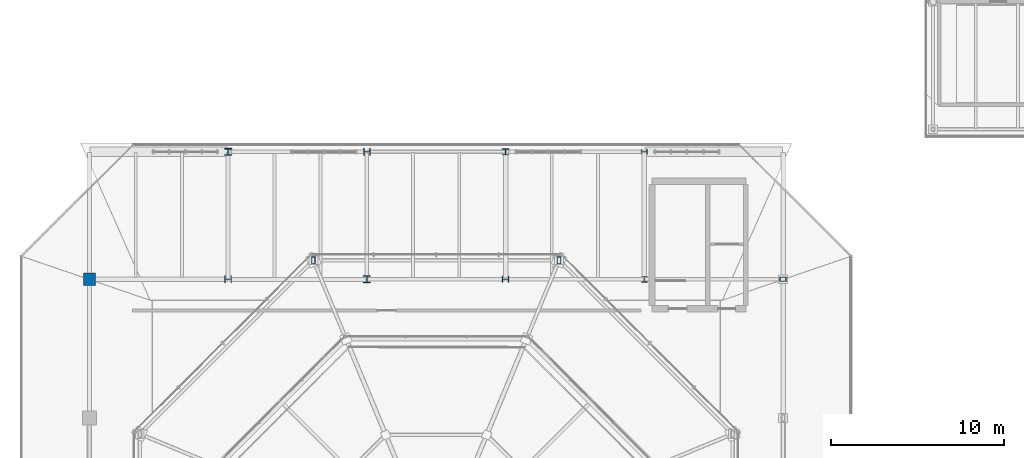
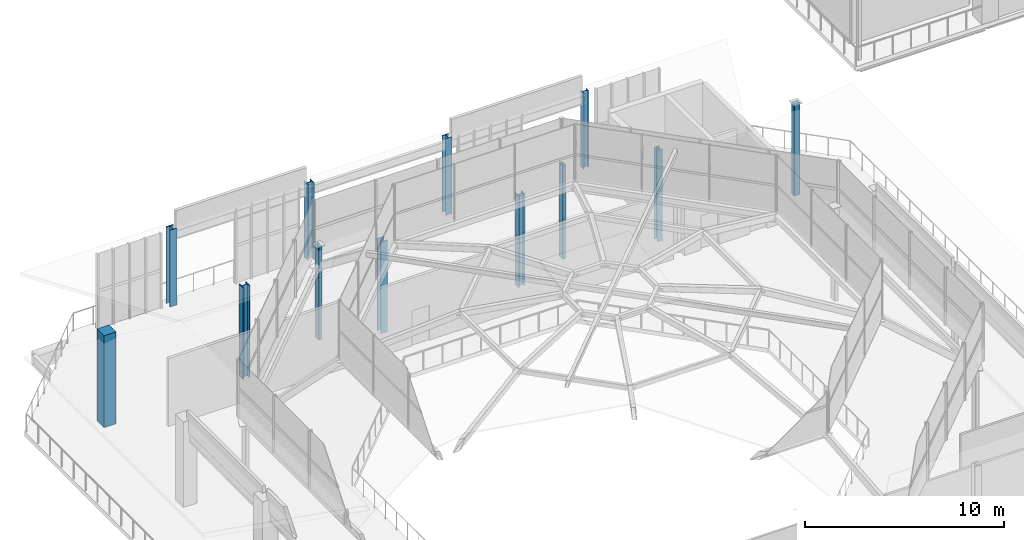
# One storey, part 4 of 30: 12 columns.
"""IFC4 building model written with IfcOpenShell, lengths in metres."""

from ifc_helpers import new_model, si_unit, direction, frame, origin, origin_2d, place, context, subcontext, project, spatial, rectangle, hollow_rectangle, i_section, extrude, material, material_profile, profile_set, type_object, element, save


model = new_model("IFC4")

# Units and contexts
model_context = context("Model", 3, precision=1e-05, world=origin(), true_north=direction((0.0, 1.0)))
body_context = subcontext(model_context, "Body", "Model", "MODEL_VIEW")
ifc_project = project(units=[si_unit("LENGTHUNIT", "METRE"), si_unit("AREAUNIT", "SQUARE_METRE"), si_unit("VOLUMEUNIT", "CUBIC_METRE"), si_unit("PLANEANGLEUNIT", "RADIAN"), si_unit("MASSUNIT", "GRAM", prefix="KILO")], contexts=[model_context])

# Site, building, storey
site_placement = place(None, origin())
site = spatial("IfcSite", under=ifc_project, at=site_placement, CompositionType="ELEMENT")
building_placement = place(site_placement, origin())
building = spatial("IfcBuilding", under=site, at=building_placement, Name="Brisemont Oceanarium", CompositionType="ELEMENT")
storey_placement = place(building_placement, frame((0.0, 0.0, 19.800048828125)))
storey = spatial("IfcBuildingStorey", under=building, at=storey_placement, Name="L04", CompositionType="ELEMENT", Elevation=19.800048828125)

# Columns
ifc_material_1 = material(Name="Structural Steel ASTM A500 Gr.C", Category="steel")
ifc_material_profile_1 = material_profile(ifc_material_1, hollow_rectangle(XDim=0.25390625, YDim=0.35595703125, WallThickness=0.01171875, InnerFilletRadius=0.01220703125, OuterFilletRadius=0.02392578125, at=origin_2d()), Name="HSS14X10X1/2")
ifc_profile_set_1 = profile_set([ifc_material_profile_1], Name="Structural Steel ASTM A500 Gr.C")
column_type_1 = type_object("IfcColumnType", Name="COL-HSS14X10", PredefinedType="COLUMN", material=ifc_profile_set_1)
column_1_placement = place(storey_placement, frame((104.0, 72.0, 0.0), z_axis=(0.0, 0.0, 1.0), x_axis=(0.0, 1.0, 0.0)))
element("IfcColumn", 1, at=column_1_placement, inside=storey, type_object=column_type_1, Name="V1 L04 column (6,5)", PredefinedType="COLUMN", context=body_context, shape_type="SweptSolid", body=[
    extrude(hollow_rectangle(XDim=0.25390625, YDim=0.35595703125, WallThickness=0.01171875, InnerFilletRadius=0.01220703125, OuterFilletRadius=0.02392578125, at=origin_2d()), origin(), (0.0, 0.0, 1.0), 5.637451171875),
])
ifc_material_2 = material(Name="Structural Steel ASTM A500 Gr.C", Category="steel")
ifc_material_profile_2 = material_profile(ifc_material_2, hollow_rectangle(XDim=0.202880859375, YDim=0.406005859375, WallThickness=0.01171875, InnerFilletRadius=0.01220703125, OuterFilletRadius=0.02392578125, at=origin_2d()), Name="HSS16X8X1/2")
ifc_profile_set_2 = profile_set([ifc_material_profile_2], Name="Structural Steel ASTM A500 Gr.C")
column_type_2 = type_object("IfcColumnType", Name="COL-HSS16X8", PredefinedType="COLUMN", material=ifc_profile_set_2)
for number, where, z_axis, x_axis, name in (
    (2, (91.07958984375, 73.091796875, 0.0), (0.0, 0.0, 1.0), (1.0, 0.0, 0.0), "V1 dome drum pier L04.2"),
    (3, (76.92041015625, 73.091796875, 0.0), (0.0, 0.0, 1.0), (1.0, 0.0, 0.0), "V1 dome drum pier L04.3"),
):
    element("IfcColumn", number, at=place(storey_placement, frame(where, z_axis=z_axis, x_axis=x_axis)), inside=storey, type_object=column_type_2, Name=name, PredefinedType="COLUMN", context=body_context, shape_type="SweptSolid", body=[
        extrude(hollow_rectangle(XDim=0.202880859375, YDim=0.406005859375, WallThickness=0.01171875, InnerFilletRadius=0.01220703125, OuterFilletRadius=0.02392578125, at=origin_2d()), origin(), (0.0, 0.0, 1.0), 5.719970703125),
    ])
ifc_material_3 = material(Name="Concrete C35/45", Category="concrete")
ifc_material_profile_3 = material_profile(ifc_material_3, rectangle(XDim=0.699951171875, YDim=0.699951171875, at=origin_2d()), Name="RC-COL-700X700")
ifc_profile_set_3 = profile_set([ifc_material_profile_3], Name="Concrete C35/45")
column_type_3 = type_object("IfcColumnType", Name="COL-RC700", PredefinedType="COLUMN", material=ifc_profile_set_3)
column_2_placement = place(storey_placement, frame((64.0, 72.0, 0.0), z_axis=(0.0, 0.0, 1.0), x_axis=(1.0, 0.0, 0.0)))
element("IfcColumn", 4, at=column_2_placement, inside=storey, type_object=column_type_3, Name="V1 L04 column (1,5)", PredefinedType="COLUMN", context=body_context, shape_type="SweptSolid", body=[
    extrude(rectangle(XDim=0.699951171875, YDim=0.699951171875, at=origin_2d()), origin(), (0.0, 0.0, 1.0), 5.637451171875),
])
ifc_material_4 = material(Name="Structural Steel ASTM A992 Gr.50", Category="steel")
ifc_material_profile_4 = material_profile(ifc_material_4, i_section(OverallWidth=0.306884765625, OverallDepth=0.31494140625, WebThickness=0.011962890625, FlangeThickness=0.018798828125, FilletRadius=0.012939453125, at=origin_2d()), Name="W12X79")
ifc_profile_set_4 = profile_set([ifc_material_profile_4], Name="Structural Steel ASTM A992 Gr.50")
column_type_4 = type_object("IfcColumnType", Name="COL-W12X79", PredefinedType="COLUMN", material=ifc_profile_set_4)
column_3_placement = place(storey_placement, frame((96.0, 79.35009765625, 0.0), z_axis=(0.0, 0.0, 1.0), x_axis=(0.0, 1.0, 0.0)))
element("IfcColumn", 5, at=column_3_placement, inside=storey, type_object=column_type_4, Name="V1 L04 column (5,6)", PredefinedType="COLUMN", context=body_context, shape_type="SweptSolid", body=[
    extrude(i_section(OverallWidth=0.306884765625, OverallDepth=0.31494140625, WebThickness=0.011962890625, FlangeThickness=0.018798828125, FilletRadius=0.012939453125, at=origin_2d()), origin(), (0.0, 0.0, 1.0), 4.703369140625),
])
ifc_material_5 = material(Name="Structural Steel ASTM A992 Gr.50", Category="steel")
ifc_material_profile_5 = material_profile(ifc_material_5, i_section(OverallWidth=0.30810546875, OverallDepth=0.318115234375, WebThickness=0.01318359375, FlangeThickness=0.0205078125, FilletRadius=0.012939453125, at=origin_2d()), Name="W12X87")
ifc_profile_set_5 = profile_set([ifc_material_profile_5], Name="Structural Steel ASTM A992 Gr.50")
column_type_5 = type_object("IfcColumnType", Name="COL-W12X87", PredefinedType="COLUMN", material=ifc_profile_set_5)
column_4_placement = place(storey_placement, frame((96.0, 72.0, 0.0), z_axis=(0.0, 0.0, 1.0), x_axis=(1.0, 0.0, 0.0)))
element("IfcColumn", 6, at=column_4_placement, inside=storey, type_object=column_type_5, Name="V1 L04 column (5,5)", PredefinedType="COLUMN", context=body_context, shape_type="SweptSolid", body=[
    extrude(i_section(OverallWidth=0.30810546875, OverallDepth=0.318115234375, WebThickness=0.01318359375, FlangeThickness=0.0205078125, FilletRadius=0.012939453125, at=origin_2d()), origin(), (0.0, 0.0, 1.0), 5.637451171875),
])
ifc_material_6 = material(Name="Structural Steel ASTM A992 Gr.50", Category="steel")
ifc_material_profile_6 = material_profile(ifc_material_6, i_section(OverallWidth=0.37109375, OverallDepth=0.364013671875, WebThickness=0.01318359375, FlangeThickness=0.021728515625, FilletRadius=0.014892578125, at=origin_2d()), Name="W14X109")
ifc_profile_set_6 = profile_set([ifc_material_profile_6], Name="Structural Steel ASTM A992 Gr.50")
column_type_6 = type_object("IfcColumnType", Name="COL-W14X109", PredefinedType="COLUMN", material=ifc_profile_set_6)
column_5_placement = place(storey_placement, frame((88.0, 79.35009765625, 0.0), z_axis=(0.0, 0.0, 1.0), x_axis=(1.0, 0.0, 0.0)))
element("IfcColumn", 7, at=column_5_placement, inside=storey, type_object=column_type_6, Name="V1 L04 column (4,6)", PredefinedType="COLUMN", context=body_context, shape_type="SweptSolid", body=[
    extrude(i_section(OverallWidth=0.37109375, OverallDepth=0.364013671875, WebThickness=0.01318359375, FlangeThickness=0.021728515625, FilletRadius=0.014892578125, at=origin_2d()), origin(), (0.0, 0.0, 1.0), 4.703369140625),
])
ifc_material_7 = material(Name="Structural Steel ASTM A992 Gr.50", Category="steel")
ifc_material_profile_7 = material_profile(ifc_material_7, i_section(OverallWidth=0.373046875, OverallDepth=0.367919921875, WebThickness=0.014892578125, FlangeThickness=0.02392578125, FilletRadius=0.014892578125, at=origin_2d()), Name="W14X120")
ifc_profile_set_7 = profile_set([ifc_material_profile_7], Name="Structural Steel ASTM A992 Gr.50")
column_type_7 = type_object("IfcColumnType", Name="COL-W14X120", PredefinedType="COLUMN", material=ifc_profile_set_7)
column_6_placement = place(storey_placement, frame((88.0, 72.0, 0.0), z_axis=(0.0, 0.0, 1.0), x_axis=(0.0, 1.0, 0.0)))
element("IfcColumn", 8, at=column_6_placement, inside=storey, type_object=column_type_7, Name="V1 L04 column (4,5)", PredefinedType="COLUMN", context=body_context, shape_type="SweptSolid", body=[
    extrude(i_section(OverallWidth=0.373046875, OverallDepth=0.367919921875, WebThickness=0.014892578125, FlangeThickness=0.02392578125, FilletRadius=0.014892578125, at=origin_2d()), origin(), (0.0, 0.0, 1.0), 5.637451171875),
])
ifc_material_8 = material(Name="Structural Steel ASTM A992 Gr.50", Category="steel")
ifc_material_profile_8 = material_profile(ifc_material_8, i_section(OverallWidth=0.39501953125, OverallDepth=0.3798828125, WebThickness=0.018798828125, FlangeThickness=0.0302734375, FilletRadius=0.014892578125, at=origin_2d()), Name="W14X159")
ifc_profile_set_8 = profile_set([ifc_material_profile_8], Name="Structural Steel ASTM A992 Gr.50")
column_type_8 = type_object("IfcColumnType", Name="COL-W14X159", PredefinedType="COLUMN", material=ifc_profile_set_8)
column_7_placement = place(storey_placement, frame((80.0, 79.35009765625, 0.0), z_axis=(0.0, 0.0, 1.0), x_axis=(0.0, 1.0, 0.0)))
element("IfcColumn", 9, at=column_7_placement, inside=storey, type_object=column_type_8, Name="V1 L04 column (3,6)", PredefinedType="COLUMN", context=body_context, shape_type="SweptSolid", body=[
    extrude(i_section(OverallWidth=0.39501953125, OverallDepth=0.3798828125, WebThickness=0.018798828125, FlangeThickness=0.0302734375, FilletRadius=0.014892578125, at=origin_2d()), origin(), (0.0, 0.0, 1.0), 4.703369140625),
])
ifc_material_9 = material(Name="Structural Steel ASTM A992 Gr.50", Category="steel")
ifc_material_profile_9 = material_profile(ifc_material_9, i_section(OverallWidth=0.39892578125, OverallDepth=0.385986328125, WebThickness=0.02099609375, FlangeThickness=0.033203125, FilletRadius=0.014892578125, at=origin_2d()), Name="W14X176")
ifc_profile_set_9 = profile_set([ifc_material_profile_9], Name="Structural Steel ASTM A992 Gr.50")
column_type_9 = type_object("IfcColumnType", Name="COL-W14X176", PredefinedType="COLUMN", material=ifc_profile_set_9)
column_8_placement = place(storey_placement, frame((80.0, 72.0, 0.0), z_axis=(0.0, 0.0, 1.0), x_axis=(1.0, 0.0, 0.0)))
element("IfcColumn", 10, at=column_8_placement, inside=storey, type_object=column_type_9, Name="V1 L04 column (3,5)", PredefinedType="COLUMN", context=body_context, shape_type="SweptSolid", body=[
    extrude(i_section(OverallWidth=0.39892578125, OverallDepth=0.385986328125, WebThickness=0.02099609375, FlangeThickness=0.033203125, FilletRadius=0.014892578125, at=origin_2d()), origin(), (0.0, 0.0, 1.0), 5.637451171875),
])
ifc_material_10 = material(Name="Structural Steel ASTM A992 Gr.50", Category="steel")
ifc_material_profile_10 = material_profile(ifc_material_10, i_section(OverallWidth=0.404052734375, OverallDepth=0.406982421875, WebThickness=0.027099609375, FlangeThickness=0.043701171875, FilletRadius=0.014892578125, at=origin_2d()), Name="W14X233")
ifc_profile_set_10 = profile_set([ifc_material_profile_10], Name="Structural Steel ASTM A992 Gr.50")
column_type_10 = type_object("IfcColumnType", Name="COL-W14X233", PredefinedType="COLUMN", material=ifc_profile_set_10)
column_9_placement = place(storey_placement, frame((72.0, 79.35009765625, 0.0), z_axis=(0.0, 0.0, 1.0), x_axis=(1.0, 0.0, 0.0)))
element("IfcColumn", 11, at=column_9_placement, inside=storey, type_object=column_type_10, Name="V1 L04 column (2,6)", PredefinedType="COLUMN", context=body_context, shape_type="SweptSolid", body=[
    extrude(i_section(OverallWidth=0.404052734375, OverallDepth=0.406982421875, WebThickness=0.027099609375, FlangeThickness=0.043701171875, FilletRadius=0.014892578125, at=origin_2d()), origin(), (0.0, 0.0, 1.0), 4.703369140625),
])
ifc_material_11 = material(Name="Structural Steel ASTM A992 Gr.50", Category="steel")
ifc_material_profile_11 = material_profile(ifc_material_11, i_section(OverallWidth=0.406005859375, OverallDepth=0.416015625, WebThickness=0.02978515625, FlangeThickness=0.048095703125, FilletRadius=0.014892578125, at=origin_2d()), Name="W14X257")
ifc_profile_set_11 = profile_set([ifc_material_profile_11], Name="Structural Steel ASTM A992 Gr.50")
column_type_11 = type_object("IfcColumnType", Name="COL-W14X257", PredefinedType="COLUMN", material=ifc_profile_set_11)
column_10_placement = place(storey_placement, frame((72.0, 72.0, 0.0), z_axis=(0.0, 0.0, 1.0), x_axis=(0.0, 1.0, 0.0)))
element("IfcColumn", 12, at=column_10_placement, inside=storey, type_object=column_type_11, Name="V1 L04 column (2,5)", PredefinedType="COLUMN", context=body_context, shape_type="SweptSolid", body=[
    extrude(i_section(OverallWidth=0.406005859375, OverallDepth=0.416015625, WebThickness=0.02978515625, FlangeThickness=0.048095703125, FilletRadius=0.014892578125, at=origin_2d()), origin(), (0.0, 0.0, 1.0), 5.637451171875),
])

save(model, "model.ifc")
